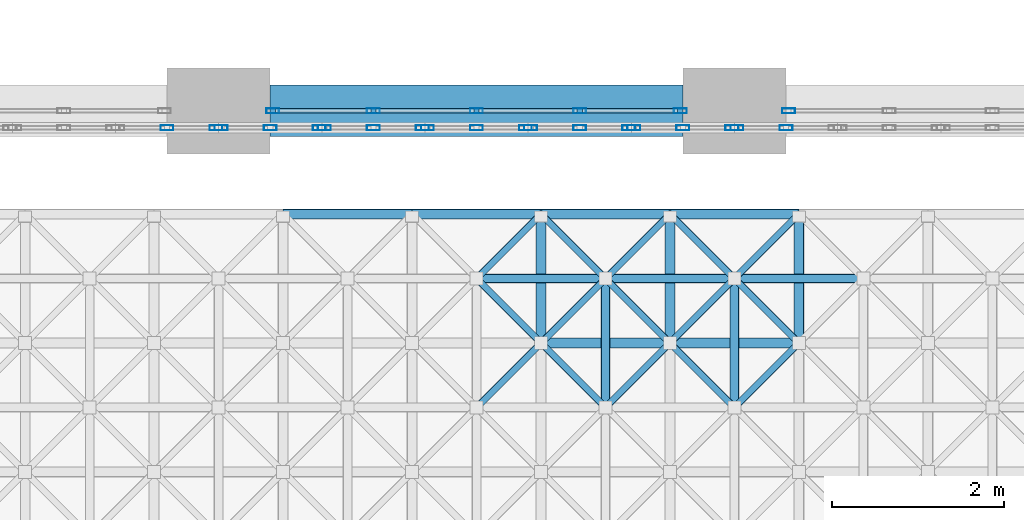
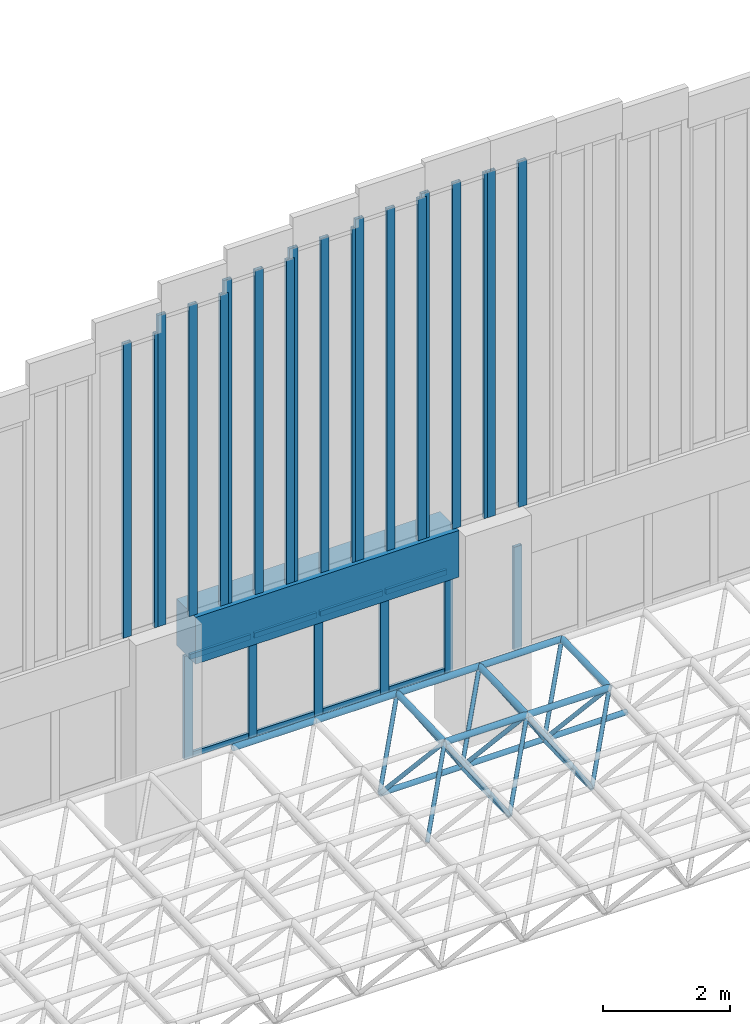
# One storey, part 13 of 103: 62 members, 1 beam, 9 elements without a shape of their own.
"""IFC4 building model written with IfcOpenShell, lengths in metres."""

import ifcopenshell
import ifcopenshell.guid

model = None  # the IFC model being written
_history = None  # IfcOwnerHistory: only IFC2X3 demands one
_inside = {}  # id of a spatial element -> (the spatial element, [elements in it])
_under = {}  # id of a project, library or spatial element -> (it, [spatial elements below it])
_declared = {}  # id of a project -> (the project, [libraries it declares])
_typed = {}  # id of a type object -> (the type object, [elements of that type])
_made_of = {}  # id of a material, layer set ... -> (it, [elements and type objects made of it])


def new_model(schema):
    """Start an empty IFC model of exactly this schema.

    Asked for "IFC4X3", IfcOpenShell would pick the latest addendum, in which some entities
    have other attributes; the version numbers below select the first issue.
    IFC2X3 requires an IfcOwnerHistory on every rooted entity: one is made here for all.
    """
    global model, _history
    if schema == "IFC4X3":
        model = ifcopenshell.file(schema_version=(4, 3, 0, 0))
    else:
        model = ifcopenshell.file(schema=schema)
    _inside.clear()
    _under.clear()
    _declared.clear()
    _typed.clear()
    _made_of.clear()
    _history = None
    if model.schema == "IFC2X3":
        org = make("IfcOrganization", Name="unknown")
        user = make(
            "IfcPersonAndOrganization",
            ThePerson=make("IfcPerson", FamilyName="unknown"),
            TheOrganization=org,
        )
        app = make(
            "IfcApplication",
            ApplicationDeveloper=org,
            Version="unknown",
            ApplicationFullName="unknown",
            ApplicationIdentifier="unknown",
        )
        _history = make(
            "IfcOwnerHistory",
            OwningUser=user,
            OwningApplication=app,
            ChangeAction="ADDED",
            CreationDate=0,
        )
    return model


def make(cls, **values):
    """One entity of the class cls with the attributes given. An attribute that is None is left unset."""
    return model.create_entity(
        cls, **{name: value for name, value in values.items() if value is not None}
    )


def rooted(cls, **values):
    """An entity with a GlobalId (a new one), such as an element, a storey or a relation."""
    return make(cls, GlobalId=ifcopenshell.guid.new(), OwnerHistory=_history, **values)


def si_unit(unit_type, name, prefix=None):
    """IfcSIUnit, for example si_unit("LENGTHUNIT", "METRE", prefix="MILLI")."""
    return make("IfcSIUnit", UnitType=unit_type, Prefix=prefix, Name=name)


def assignment(units):
    """IfcUnitAssignment: the units of a project."""
    return None if units is None else make("IfcUnitAssignment", Units=units)


def point(xyz):
    """IfcCartesianPoint."""
    return None if xyz is None else make("IfcCartesianPoint", Coordinates=xyz)


def direction(xyz):
    """IfcDirection."""
    return None if xyz is None else make("IfcDirection", DirectionRatios=xyz)


def frame(location, z_axis=None, x_axis=None):
    """IfcAxis2Placement3D, a coordinate frame: its origin and axes. An axis left out is left unset."""
    return make(
        "IfcAxis2Placement3D",
        Location=point(location),
        Axis=direction(z_axis),
        RefDirection=direction(x_axis),
    )


def frame_2d(location, x_axis=None):
    """IfcAxis2Placement2D, a coordinate frame in the plane: its origin and x axis."""
    return make(
        "IfcAxis2Placement2D", Location=point(location), RefDirection=direction(x_axis)
    )


def origin():
    """The frame at (0, 0, 0) with its axes left unset."""
    return frame((0.0, 0.0, 0.0))


def origin_2d():
    """The frame at (0, 0) in the plane with its x axis left unset."""
    return frame_2d((0.0, 0.0))


def place(relative_to, where):
    """IfcLocalPlacement: puts the frame where relative to a parent placement (None: the world)."""
    return make(
        "IfcLocalPlacement", PlacementRelTo=relative_to, RelativePlacement=where
    )


def context(
    kind, dimensions, precision=None, world=None, true_north=None, identifier=None
):
    """IfcGeometricRepresentationContext, for example the 3D "Model" context."""
    return make(
        "IfcGeometricRepresentationContext",
        ContextIdentifier=identifier,
        ContextType=kind,
        CoordinateSpaceDimension=dimensions,
        Precision=precision,
        WorldCoordinateSystem=world,
        TrueNorth=true_north,
    )


def subcontext(parent, identifier, kind, view, scale=None):
    """IfcGeometricRepresentationSubContext, for example "Body" below "Model"."""
    return make(
        "IfcGeometricRepresentationSubContext",
        ContextIdentifier=identifier,
        ContextType=kind,
        ParentContext=parent,
        TargetScale=scale,
        TargetView=view,
    )


def project(units=None, contexts=None):
    """IfcProject with its units and contexts."""
    return rooted(
        "IfcProject",
        Name="project",
        RepresentationContexts=contexts,
        UnitsInContext=assignment(units),
    )


def spatial(cls, under=None, at=None, **own):
    """A site, building, storey or space (cls), placed at a placement, below another one or the project."""
    s = rooted(cls, ObjectPlacement=at, **own)
    if under is not None:
        _under.setdefault(under.id(), (under, []))[1].append(s)
    return s


def profile(cls, at=None, kind="AREA", **sizes):
    """A parametric profile (cls). Its sizes go by their IFC names, for example OverallWidth=200.0."""
    return make(cls, ProfileType=kind, Position=at, **sizes)


def rectangle(**sizes):
    """IfcRectangleProfileDef."""
    return profile("IfcRectangleProfileDef", **sizes)


def hollow_rectangle(**sizes):
    """IfcRectangleHollowProfileDef."""
    return profile("IfcRectangleHollowProfileDef", **sizes)


def hollow_circle(**sizes):
    """IfcCircleHollowProfileDef."""
    return profile("IfcCircleHollowProfileDef", **sizes)


def extrude(swept, where, along, depth):
    """IfcExtrudedAreaSolid: the profile swept, set in the frame where, extruded along a direction by depth."""
    return make(
        "IfcExtrudedAreaSolid",
        SweptArea=swept,
        Position=where,
        ExtrudedDirection=direction(along),
        Depth=depth,
    )


def shape(context_of_items, identifier, shape_type, items):
    """IfcShapeRepresentation: the items that make up one representation, for example the "Body"."""
    return make(
        "IfcShapeRepresentation",
        ContextOfItems=context_of_items,
        RepresentationIdentifier=identifier,
        RepresentationType=shape_type,
        Items=items,
    )


def material(Name=None, Category=None):
    """IfcMaterial."""
    return make("IfcMaterial", Name=Name, Category=Category)


def material_profile(
    of_material, cross_section, Name=None, Category=None, Priority=None
):
    """IfcMaterialProfile: a cross section and its material."""
    return make(
        "IfcMaterialProfile",
        Name=Name,
        Material=of_material,
        Profile=cross_section,
        Priority=Priority,
        Category=Category,
    )


def profile_set(profiles, Name=None, composite=None):
    """IfcMaterialProfileSet."""
    return make(
        "IfcMaterialProfileSet",
        Name=Name,
        MaterialProfiles=profiles,
        CompositeProfile=composite,
    )


def made_of(thing, what):
    """Note that an element or type object is made of a material, layer set ...; save() writes the relation."""
    if what is not None:
        _made_of.setdefault(what.id(), (what, []))[1].append(thing)
    return thing


def type_object(cls, material=None, **own):
    """A type object (cls), such as IfcWallType, which elements share."""
    return made_of(rooted(cls, **own), material)


def element(
    cls,
    number,
    at=None,
    inside=None,
    cuts=None,
    type_object=None,
    material=None,
    context=None,
    identifier="Body",
    shape_type=None,
    held_by="IfcProductDefinitionShape",
    body=None,
    shapes=None,
    **own,
):
    """One element of the class cls, such as IfcWall. Its Tag is "e" and its number.

    at: its placement. inside: the storey or other place that contains it. cuts: it is an
    opening in that element (IfcRelVoidsElement). A single representation is given by context,
    identifier, shape_type and body (its items); several are given by shapes. held_by: the class
    of the entity that holds the representations. save() writes the other relations.
    """
    e = rooted(cls, Tag="e%d" % number, ObjectPlacement=at, **own)
    if body is not None:
        shapes = [shape(context, identifier, shape_type, body)]
    if shapes is not None:
        e.Representation = make(held_by, Representations=shapes)
    if inside is not None:
        _inside.setdefault(inside.id(), (inside, []))[1].append(e)
    if cuts is not None:
        rooted(
            "IfcRelVoidsElement", RelatingBuildingElement=cuts, RelatedOpeningElement=e
        )
    if type_object is not None:
        _typed.setdefault(type_object.id(), (type_object, []))[1].append(e)
    return made_of(e, material)


def aggregate(whole, parts):
    """IfcRelAggregates: a whole, such as a stair, and the parts it consists of."""
    return rooted("IfcRelAggregates", RelatingObject=whole, RelatedObjects=parts)


def save(model, path):
    """Write the relations noted so far, then the file.

    IfcRelAggregates (storeys below a building ...), IfcRelContainedInSpatialStructure (elements
    in a storey), IfcRelDefinesByType, IfcRelAssociatesMaterial and IfcRelDeclares: one each for
    every whole, place, type object, material and project.
    """
    for whole, parts in _under.values():
        aggregate(whole, parts)
    for where, things in _inside.values():
        rooted(
            "IfcRelContainedInSpatialStructure",
            RelatedElements=things,
            RelatingStructure=where,
        )
    for kind, things in _typed.values():
        rooted("IfcRelDefinesByType", RelatedObjects=things, RelatingType=kind)
    for what, things in _made_of.values():
        rooted("IfcRelAssociatesMaterial", RelatedObjects=things, RelatingMaterial=what)
    for by, libraries in _declared.values():
        rooted("IfcRelDeclares", RelatingContext=by, RelatedDefinitions=libraries)
    model.write(path)


model = new_model("IFC4")

# Units and contexts
model_context = context("Model", 3, precision=1e-05, world=origin(), true_north=direction((0.0, 1.0)))
body_context = subcontext(model_context, "Body", "Model", "MODEL_VIEW")
ifc_project = project(units=[si_unit("LENGTHUNIT", "METRE"), si_unit("AREAUNIT", "SQUARE_METRE"), si_unit("VOLUMEUNIT", "CUBIC_METRE"), si_unit("PLANEANGLEUNIT", "RADIAN"), si_unit("MASSUNIT", "GRAM", prefix="KILO")], contexts=[model_context])

# Site, building, storey
site_placement = place(None, origin())
site = spatial("IfcSite", under=ifc_project, at=site_placement, CompositionType="ELEMENT")
building_placement = place(site_placement, origin())
building = spatial("IfcBuilding", under=site, at=building_placement, Name="Laocheng Heights Fire and Rescue Headquarters", CompositionType="ELEMENT")
storey_placement = place(building_placement, frame((0.0, 0.0, 4.199951171875)))
storey = spatial("IfcBuildingStorey", under=building, at=storey_placement, Name="L01", CompositionType="ELEMENT", Elevation=4.199951171875)

# Curtain wall, members
ifc_material_1 = material(Name="Aluminium gable glazing, low-e double glazing", Category="aluminium")
curtain_wall_type_1 = type_object("IfcCurtainWallType", Name="GABLE SPANDREL GLAZED UNIT 4800 x 1990", PredefinedType="NOTDEFINED", material=ifc_material_1)
curtain_wall_1_placement = place(storey_placement, origin())
curtain_wall_1 = element("IfcCurtainWall", 1, at=curtain_wall_1_placement, inside=storey, type_object=curtain_wall_type_1, Name="Gable spandrel glazing S3", PredefinedType="NOTDEFINED")
ifc_material_2 = material(Name="Aluminium 6063-T5 extrusion", Category="aluminium")
ifc_material_profile_1 = material_profile(ifc_material_2, hollow_rectangle(XDim=0.06005859375, YDim=0.14990234375, WallThickness=0.0029296875, at=origin_2d()), Name="AL MULLION 150x60x3")
ifc_profile_set_1 = profile_set([ifc_material_profile_1], Name="Aluminium 6063-T5 extrusion")
member_type_1 = type_object("IfcMemberType", Name="AL GABLE MULLION 150x60x3", PredefinedType="MULLION", material=ifc_profile_set_1)
member_1_placement = place(storey_placement, frame((30.6298828125, 0.0, 1.199951171875), z_axis=(0.0, 0.0, 1.0), x_axis=(0.0, 1.0, 0.0)))
member_1 = element("IfcMember", 2, at=member_1_placement, type_object=member_type_1, Name="X1-D mullion 1", PredefinedType="MULLION", context=body_context, shape_type="SweptSolid", body=[
    extrude(hollow_rectangle(XDim=0.06005859375, YDim=0.14990234375, WallThickness=0.0029296875, at=origin_2d()), origin(), (0.0, 0.0, 1.0), 1.990478515625),
])
member_2_placement = place(storey_placement, frame((31.800048828125, 0.0, 1.199951171875), z_axis=(0.0, 0.0, 1.0), x_axis=(0.0, 1.0, 0.0)))
member_2 = element("IfcMember", 3, at=member_2_placement, type_object=member_type_1, Name="X1-D mullion 2", PredefinedType="MULLION", context=body_context, shape_type="SweptSolid", body=[
    extrude(hollow_rectangle(XDim=0.06005859375, YDim=0.14990234375, WallThickness=0.0029296875, at=origin_2d()), origin(), (0.0, 0.0, 1.0), 1.990478515625),
])
member_3_placement = place(storey_placement, frame((33.0, 0.0, 1.199951171875), z_axis=(0.0, 0.0, 1.0), x_axis=(0.0, 1.0, 0.0)))
member_3 = element("IfcMember", 4, at=member_3_placement, type_object=member_type_1, Name="X1-D mullion 3", PredefinedType="MULLION", context=body_context, shape_type="SweptSolid", body=[
    extrude(hollow_rectangle(XDim=0.06005859375, YDim=0.14990234375, WallThickness=0.0029296875, at=origin_2d()), origin(), (0.0, 0.0, 1.0), 1.990478515625),
])
member_4_placement = place(storey_placement, frame((34.199951171875, 0.0, 1.199951171875), z_axis=(0.0, 0.0, 1.0), x_axis=(0.0, 1.0, 0.0)))
member_4 = element("IfcMember", 5, at=member_4_placement, type_object=member_type_1, Name="X1-D mullion 4", PredefinedType="MULLION", context=body_context, shape_type="SweptSolid", body=[
    extrude(hollow_rectangle(XDim=0.06005859375, YDim=0.14990234375, WallThickness=0.0029296875, at=origin_2d()), origin(), (0.0, 0.0, 1.0), 1.990478515625),
])
member_5_placement = place(storey_placement, frame((35.3701171875, 0.0, 1.199951171875), z_axis=(0.0, 0.0, 1.0), x_axis=(0.0, 1.0, 0.0)))
member_5 = element("IfcMember", 6, at=member_5_placement, type_object=member_type_1, Name="X1-D mullion 5", PredefinedType="MULLION", context=body_context, shape_type="SweptSolid", body=[
    extrude(hollow_rectangle(XDim=0.06005859375, YDim=0.14990234375, WallThickness=0.0029296875, at=origin_2d()), origin(), (0.0, 0.0, 1.0), 1.990478515625),
])

# Curtain wall, member
curtain_wall_2_placement = place(storey_placement, origin())
curtain_wall_2 = element("IfcCurtainWall", 7, at=curtain_wall_2_placement, inside=storey, type_object=curtain_wall_type_1, Name="Gable spandrel glazing S4", PredefinedType="NOTDEFINED")
member_6_placement = place(storey_placement, frame((36.6298828125, 0.0, 1.199951171875), z_axis=(0.0, 0.0, 1.0), x_axis=(0.0, 1.0, 0.0)))
member_6 = element("IfcMember", 8, at=member_6_placement, type_object=member_type_1, Name="X1-D mullion 1", PredefinedType="MULLION", context=body_context, shape_type="SweptSolid", body=[
    extrude(hollow_rectangle(XDim=0.06005859375, YDim=0.14990234375, WallThickness=0.0029296875, at=origin_2d()), origin(), (0.0, 0.0, 1.0), 1.990478515625),
])
aggregate(curtain_wall_2, [member_6])

# Curtain wall, members
ifc_material_3 = material(Name="Aluminium gable glazing, low-e double glazing", Category="aluminium")
curtain_wall_type_2 = type_object("IfcCurtainWallType", Name="GABLE GLAZED UNIT 1200 x 5668", PredefinedType="NOTDEFINED", material=ifc_material_3)
curtain_wall_3_placement = place(storey_placement, origin())
curtain_wall_3 = element("IfcCurtainWall", 9, at=curtain_wall_3_placement, inside=storey, type_object=curtain_wall_type_2, Name="Gable glazing S11", PredefinedType="NOTDEFINED")
member_7_placement = place(storey_placement, frame((29.39990234375, -0.196533203125, 4.090576171875), z_axis=(0.0, 0.0, 1.0), x_axis=(0.0, 1.0, 0.0)))
member_7 = element("IfcMember", 10, at=member_7_placement, type_object=member_type_1, Name="X10-D mullion 2", PredefinedType="MULLION", context=body_context, shape_type="SweptSolid", body=[
    extrude(hollow_rectangle(XDim=0.06005859375, YDim=0.14990234375, WallThickness=0.0029296875, at=origin_2d()), origin(), (0.0, 0.0, 1.0), 5.66845703125),
])
member_8_placement = place(storey_placement, frame((29.969970703125, -0.196533203125, 4.090576171875), z_axis=(0.0, 0.0, 1.0), x_axis=(0.0, 1.0, 0.0)))
member_8 = element("IfcMember", 11, at=member_8_placement, type_object=member_type_1, Name="X10-D mullion 3", PredefinedType="MULLION", context=body_context, shape_type="SweptSolid", body=[
    extrude(hollow_rectangle(XDim=0.06005859375, YDim=0.14990234375, WallThickness=0.0029296875, at=origin_2d()), origin(), (0.0, 0.0, 1.0), 5.66845703125),
])
aggregate(curtain_wall_3, [member_7, member_8])

ifc_material_4 = material(Name="Aluminium gable glazing, low-e double glazing", Category="aluminium")
curtain_wall_type_3 = type_object("IfcCurtainWallType", Name="GABLE GLAZED UNIT 1200 x 5994", PredefinedType="NOTDEFINED", material=ifc_material_4)
curtain_wall_4_placement = place(storey_placement, origin())
curtain_wall_4 = element("IfcCurtainWall", 12, at=curtain_wall_4_placement, inside=storey, type_object=curtain_wall_type_3, Name="Gable glazing S12", PredefinedType="NOTDEFINED")
member_9_placement = place(storey_placement, frame((30.030029296875, -0.196533203125, 4.090576171875), z_axis=(0.0, 0.0, 1.0), x_axis=(0.0, 1.0, 0.0)))
member_9 = element("IfcMember", 13, at=member_9_placement, type_object=member_type_1, Name="X11-D mullion 1", PredefinedType="MULLION", context=body_context, shape_type="SweptSolid", body=[
    extrude(hollow_rectangle(XDim=0.06005859375, YDim=0.14990234375, WallThickness=0.0029296875, at=origin_2d()), origin(), (0.0, 0.0, 1.0), 5.994384765625),
])
member_10_placement = place(storey_placement, frame((30.60009765625, -0.196533203125, 4.090576171875), z_axis=(0.0, 0.0, 1.0), x_axis=(0.0, 1.0, 0.0)))
member_10 = element("IfcMember", 14, at=member_10_placement, type_object=member_type_1, Name="X11-D mullion 2", PredefinedType="MULLION", context=body_context, shape_type="SweptSolid", body=[
    extrude(hollow_rectangle(XDim=0.06005859375, YDim=0.14990234375, WallThickness=0.0029296875, at=origin_2d()), origin(), (0.0, 0.0, 1.0), 5.994384765625),
])
member_11_placement = place(storey_placement, frame((31.169921875, -0.196533203125, 4.090576171875), z_axis=(0.0, 0.0, 1.0), x_axis=(0.0, 1.0, 0.0)))
member_11 = element("IfcMember", 15, at=member_11_placement, type_object=member_type_1, Name="X11-D mullion 3", PredefinedType="MULLION", context=body_context, shape_type="SweptSolid", body=[
    extrude(hollow_rectangle(XDim=0.06005859375, YDim=0.14990234375, WallThickness=0.0029296875, at=origin_2d()), origin(), (0.0, 0.0, 1.0), 5.994384765625),
])
aggregate(curtain_wall_4, [member_9, member_10, member_11])

ifc_material_5 = material(Name="Aluminium gable glazing, low-e double glazing", Category="aluminium")
curtain_wall_type_4 = type_object("IfcCurtainWallType", Name="GABLE GLAZED UNIT 1200 x 6246", PredefinedType="NOTDEFINED", material=ifc_material_5)
curtain_wall_5_placement = place(storey_placement, origin())
curtain_wall_5 = element("IfcCurtainWall", 16, at=curtain_wall_5_placement, inside=storey, type_object=curtain_wall_type_4, Name="Gable glazing S13", PredefinedType="NOTDEFINED")
member_12_placement = place(storey_placement, frame((31.22998046875, -0.196533203125, 4.090576171875), z_axis=(0.0, 0.0, 1.0), x_axis=(0.0, 1.0, 0.0)))
member_12 = element("IfcMember", 17, at=member_12_placement, type_object=member_type_1, Name="X12-D mullion 1", PredefinedType="MULLION", context=body_context, shape_type="SweptSolid", body=[
    extrude(hollow_rectangle(XDim=0.06005859375, YDim=0.14990234375, WallThickness=0.0029296875, at=origin_2d()), origin(), (0.0, 0.0, 1.0), 6.245361328125),
])
member_13_placement = place(storey_placement, frame((31.800048828125, -0.196533203125, 4.090576171875), z_axis=(0.0, 0.0, 1.0), x_axis=(0.0, 1.0, 0.0)))
member_13 = element("IfcMember", 18, at=member_13_placement, type_object=member_type_1, Name="X12-D mullion 2", PredefinedType="MULLION", context=body_context, shape_type="SweptSolid", body=[
    extrude(hollow_rectangle(XDim=0.06005859375, YDim=0.14990234375, WallThickness=0.0029296875, at=origin_2d()), origin(), (0.0, 0.0, 1.0), 6.245361328125),
])
member_14_placement = place(storey_placement, frame((32.3701171875, -0.196533203125, 4.090576171875), z_axis=(0.0, 0.0, 1.0), x_axis=(0.0, 1.0, 0.0)))
member_14 = element("IfcMember", 19, at=member_14_placement, type_object=member_type_1, Name="X12-D mullion 3", PredefinedType="MULLION", context=body_context, shape_type="SweptSolid", body=[
    extrude(hollow_rectangle(XDim=0.06005859375, YDim=0.14990234375, WallThickness=0.0029296875, at=origin_2d()), origin(), (0.0, 0.0, 1.0), 6.245361328125),
])
aggregate(curtain_wall_5, [member_12, member_13, member_14])

ifc_material_6 = material(Name="Aluminium gable glazing, low-e double glazing", Category="aluminium")
curtain_wall_type_5 = type_object("IfcCurtainWallType", Name="GABLE GLAZED UNIT 1200 x 6438", PredefinedType="NOTDEFINED", material=ifc_material_6)
curtain_wall_6_placement = place(storey_placement, origin())
curtain_wall_6 = element("IfcCurtainWall", 20, at=curtain_wall_6_placement, inside=storey, type_object=curtain_wall_type_5, Name="Gable glazing S14", PredefinedType="NOTDEFINED")
member_15_placement = place(storey_placement, frame((32.429931640625, -0.196533203125, 4.090576171875), z_axis=(0.0, 0.0, 1.0), x_axis=(0.0, 1.0, 0.0)))
member_15 = element("IfcMember", 21, at=member_15_placement, type_object=member_type_1, Name="X13-D mullion 1", PredefinedType="MULLION", context=body_context, shape_type="SweptSolid", body=[
    extrude(hollow_rectangle(XDim=0.06005859375, YDim=0.14990234375, WallThickness=0.0029296875, at=origin_2d()), origin(), (0.0, 0.0, 1.0), 6.4375),
])
member_16_placement = place(storey_placement, frame((33.0, -0.196533203125, 4.090576171875), z_axis=(0.0, 0.0, 1.0), x_axis=(0.0, 1.0, 0.0)))
member_16 = element("IfcMember", 22, at=member_16_placement, type_object=member_type_1, Name="X13-D mullion 2", PredefinedType="MULLION", context=body_context, shape_type="SweptSolid", body=[
    extrude(hollow_rectangle(XDim=0.06005859375, YDim=0.14990234375, WallThickness=0.0029296875, at=origin_2d()), origin(), (0.0, 0.0, 1.0), 6.4375),
])
member_17_placement = place(storey_placement, frame((33.570068359375, -0.196533203125, 4.090576171875), z_axis=(0.0, 0.0, 1.0), x_axis=(0.0, 1.0, 0.0)))
member_17 = element("IfcMember", 23, at=member_17_placement, type_object=member_type_1, Name="X13-D mullion 3", PredefinedType="MULLION", context=body_context, shape_type="SweptSolid", body=[
    extrude(hollow_rectangle(XDim=0.06005859375, YDim=0.14990234375, WallThickness=0.0029296875, at=origin_2d()), origin(), (0.0, 0.0, 1.0), 6.4375),
])
aggregate(curtain_wall_6, [member_15, member_16, member_17])

ifc_material_7 = material(Name="Aluminium gable glazing, low-e double glazing", Category="aluminium")
curtain_wall_type_6 = type_object("IfcCurtainWallType", Name="GABLE GLAZED UNIT 1200 x 6586", PredefinedType="NOTDEFINED", material=ifc_material_7)
curtain_wall_7_placement = place(storey_placement, origin())
curtain_wall_7 = element("IfcCurtainWall", 24, at=curtain_wall_7_placement, inside=storey, type_object=curtain_wall_type_6, Name="Gable glazing S15", PredefinedType="NOTDEFINED")
member_18_placement = place(storey_placement, frame((33.6298828125, -0.196533203125, 4.090576171875), z_axis=(0.0, 0.0, 1.0), x_axis=(0.0, 1.0, 0.0)))
member_18 = element("IfcMember", 25, at=member_18_placement, type_object=member_type_1, Name="X14-D mullion 1", PredefinedType="MULLION", context=body_context, shape_type="SweptSolid", body=[
    extrude(hollow_rectangle(XDim=0.06005859375, YDim=0.14990234375, WallThickness=0.0029296875, at=origin_2d()), origin(), (0.0, 0.0, 1.0), 6.58544921875),
])
member_19_placement = place(storey_placement, frame((34.199951171875, -0.196533203125, 4.090576171875), z_axis=(0.0, 0.0, 1.0), x_axis=(0.0, 1.0, 0.0)))
member_19 = element("IfcMember", 26, at=member_19_placement, type_object=member_type_1, Name="X14-D mullion 2", PredefinedType="MULLION", context=body_context, shape_type="SweptSolid", body=[
    extrude(hollow_rectangle(XDim=0.06005859375, YDim=0.14990234375, WallThickness=0.0029296875, at=origin_2d()), origin(), (0.0, 0.0, 1.0), 6.58544921875),
])
member_20_placement = place(storey_placement, frame((34.77001953125, -0.196533203125, 4.090576171875), z_axis=(0.0, 0.0, 1.0), x_axis=(0.0, 1.0, 0.0)))
member_20 = element("IfcMember", 27, at=member_20_placement, type_object=member_type_1, Name="X14-D mullion 3", PredefinedType="MULLION", context=body_context, shape_type="SweptSolid", body=[
    extrude(hollow_rectangle(XDim=0.06005859375, YDim=0.14990234375, WallThickness=0.0029296875, at=origin_2d()), origin(), (0.0, 0.0, 1.0), 6.58544921875),
])
aggregate(curtain_wall_7, [member_18, member_19, member_20])

ifc_material_8 = material(Name="Aluminium gable glazing, low-e double glazing", Category="aluminium")
curtain_wall_type_7 = type_object("IfcCurtainWallType", Name="GABLE GLAZED UNIT 1200 x 6658", PredefinedType="NOTDEFINED", material=ifc_material_8)
curtain_wall_8_placement = place(storey_placement, origin())
curtain_wall_8 = element("IfcCurtainWall", 28, at=curtain_wall_8_placement, inside=storey, type_object=curtain_wall_type_7, Name="Gable glazing S16", PredefinedType="NOTDEFINED")
member_21_placement = place(storey_placement, frame((34.830078125, -0.196533203125, 4.090576171875), z_axis=(0.0, 0.0, 1.0), x_axis=(0.0, 1.0, 0.0)))
member_21 = element("IfcMember", 29, at=member_21_placement, type_object=member_type_1, Name="X15-D mullion 1", PredefinedType="MULLION", context=body_context, shape_type="SweptSolid", body=[
    extrude(hollow_rectangle(XDim=0.06005859375, YDim=0.14990234375, WallThickness=0.0029296875, at=origin_2d()), origin(), (0.0, 0.0, 1.0), 6.658447265625),
])
member_22_placement = place(storey_placement, frame((35.39990234375, -0.196533203125, 4.090576171875), z_axis=(0.0, 0.0, 1.0), x_axis=(0.0, 1.0, 0.0)))
member_22 = element("IfcMember", 30, at=member_22_placement, type_object=member_type_1, Name="X15-D mullion 2", PredefinedType="MULLION", context=body_context, shape_type="SweptSolid", body=[
    extrude(hollow_rectangle(XDim=0.06005859375, YDim=0.14990234375, WallThickness=0.0029296875, at=origin_2d()), origin(), (0.0, 0.0, 1.0), 6.658447265625),
])
member_23_placement = place(storey_placement, frame((35.969970703125, -0.196533203125, 4.090576171875), z_axis=(0.0, 0.0, 1.0), x_axis=(0.0, 1.0, 0.0)))
member_23 = element("IfcMember", 31, at=member_23_placement, type_object=member_type_1, Name="X15-D mullion 3", PredefinedType="MULLION", context=body_context, shape_type="SweptSolid", body=[
    extrude(hollow_rectangle(XDim=0.06005859375, YDim=0.14990234375, WallThickness=0.0029296875, at=origin_2d()), origin(), (0.0, 0.0, 1.0), 6.658447265625),
])
aggregate(curtain_wall_8, [member_21, member_22, member_23])

curtain_wall_9_placement = place(storey_placement, origin())
curtain_wall_9 = element("IfcCurtainWall", 32, at=curtain_wall_9_placement, inside=storey, type_object=curtain_wall_type_7, Name="Gable glazing S17", PredefinedType="NOTDEFINED")
member_24_placement = place(storey_placement, frame((36.030029296875, -0.196533203125, 4.090576171875), z_axis=(0.0, 0.0, 1.0), x_axis=(0.0, 1.0, 0.0)))
member_24 = element("IfcMember", 33, at=member_24_placement, type_object=member_type_1, Name="X15-D mullion 1", PredefinedType="MULLION", context=body_context, shape_type="SweptSolid", body=[
    extrude(hollow_rectangle(XDim=0.06005859375, YDim=0.14990234375, WallThickness=0.0029296875, at=origin_2d()), origin(), (0.0, 0.0, 1.0), 6.658447265625),
])
member_25_placement = place(storey_placement, frame((36.60009765625, -0.196533203125, 4.090576171875), z_axis=(0.0, 0.0, 1.0), x_axis=(0.0, 1.0, 0.0)))
member_25 = element("IfcMember", 34, at=member_25_placement, type_object=member_type_1, Name="X15-D mullion 2", PredefinedType="MULLION", context=body_context, shape_type="SweptSolid", body=[
    extrude(hollow_rectangle(XDim=0.06005859375, YDim=0.14990234375, WallThickness=0.0029296875, at=origin_2d()), origin(), (0.0, 0.0, 1.0), 6.658447265625),
])
aggregate(curtain_wall_9, [member_24, member_25])

# Member
ifc_material_9 = material(Name="Aluminium 6063-T5 extrusion", Category="aluminium")
ifc_material_profile_2 = material_profile(ifc_material_9, hollow_rectangle(XDim=0.050048828125, YDim=0.10009765625, WallThickness=0.0029296875, at=origin_2d()), Name="AL TRANSOM 100x50x3")
ifc_profile_set_2 = profile_set([ifc_material_profile_2], Name="Aluminium 6063-T5 extrusion")
member_type_2 = type_object("IfcMemberType", Name="AL GABLE TRANSOM 100x50x3", PredefinedType="USERDEFINED", material=ifc_profile_set_2)
member_26_placement = place(storey_placement, frame((30.659912109375, 0.0, 1.25), z_axis=(1.0, 0.0, 0.0), x_axis=(0.0, 1.0, 0.0)))
member_26 = element("IfcMember", 35, at=member_26_placement, type_object=member_type_2, Name="X1-D transom 1.1", ObjectType="TRANSOM", PredefinedType="USERDEFINED", context=body_context, shape_type="SweptSolid", body=[
    extrude(hollow_rectangle(XDim=0.050048828125, YDim=0.10009765625, WallThickness=0.0029296875, at=origin_2d()), origin(), (0.0, 0.0, 1.0), 1.110107421875),
])

member_27_placement = place(storey_placement, frame((30.659912109375, 0.0, 3.140625), z_axis=(1.0, 0.0, 0.0), x_axis=(0.0, 1.0, 0.0)))
member_27 = element("IfcMember", 36, at=member_27_placement, type_object=member_type_2, Name="X1-D transom 1.2", ObjectType="TRANSOM", PredefinedType="USERDEFINED", context=body_context, shape_type="SweptSolid", body=[
    extrude(hollow_rectangle(XDim=0.050048828125, YDim=0.10009765625, WallThickness=0.0029296875, at=origin_2d()), origin(), (0.0, 0.0, 1.0), 1.110107421875),
])

member_28_placement = place(storey_placement, frame((31.830078125, 0.0, 1.25), z_axis=(1.0, 0.0, 0.0), x_axis=(0.0, 1.0, 0.0)))
member_28 = element("IfcMember", 37, at=member_28_placement, type_object=member_type_2, Name="X1-D transom 2.1", ObjectType="TRANSOM", PredefinedType="USERDEFINED", context=body_context, shape_type="SweptSolid", body=[
    extrude(hollow_rectangle(XDim=0.050048828125, YDim=0.10009765625, WallThickness=0.0029296875, at=origin_2d()), origin(), (0.0, 0.0, 1.0), 1.139892578125),
])

member_29_placement = place(storey_placement, frame((31.830078125, 0.0, 3.140625), z_axis=(1.0, 0.0, 0.0), x_axis=(0.0, 1.0, 0.0)))
member_29 = element("IfcMember", 38, at=member_29_placement, type_object=member_type_2, Name="X1-D transom 2.2", ObjectType="TRANSOM", PredefinedType="USERDEFINED", context=body_context, shape_type="SweptSolid", body=[
    extrude(hollow_rectangle(XDim=0.050048828125, YDim=0.10009765625, WallThickness=0.0029296875, at=origin_2d()), origin(), (0.0, 0.0, 1.0), 1.139892578125),
])

member_30_placement = place(storey_placement, frame((33.030029296875, 0.0, 1.25), z_axis=(1.0, 0.0, 0.0), x_axis=(0.0, 1.0, 0.0)))
member_30 = element("IfcMember", 39, at=member_30_placement, type_object=member_type_2, Name="X1-D transom 3.1", ObjectType="TRANSOM", PredefinedType="USERDEFINED", context=body_context, shape_type="SweptSolid", body=[
    extrude(hollow_rectangle(XDim=0.050048828125, YDim=0.10009765625, WallThickness=0.0029296875, at=origin_2d()), origin(), (0.0, 0.0, 1.0), 1.139892578125),
])

member_31_placement = place(storey_placement, frame((33.030029296875, 0.0, 3.140625), z_axis=(1.0, 0.0, 0.0), x_axis=(0.0, 1.0, 0.0)))
member_31 = element("IfcMember", 40, at=member_31_placement, type_object=member_type_2, Name="X1-D transom 3.2", ObjectType="TRANSOM", PredefinedType="USERDEFINED", context=body_context, shape_type="SweptSolid", body=[
    extrude(hollow_rectangle(XDim=0.050048828125, YDim=0.10009765625, WallThickness=0.0029296875, at=origin_2d()), origin(), (0.0, 0.0, 1.0), 1.139892578125),
])

member_32_placement = place(storey_placement, frame((34.22998046875, 0.0, 1.25), z_axis=(1.0, 0.0, 0.0), x_axis=(0.0, 1.0, 0.0)))
member_32 = element("IfcMember", 41, at=member_32_placement, type_object=member_type_2, Name="X1-D transom 4.1", ObjectType="TRANSOM", PredefinedType="USERDEFINED", context=body_context, shape_type="SweptSolid", body=[
    extrude(hollow_rectangle(XDim=0.050048828125, YDim=0.10009765625, WallThickness=0.0029296875, at=origin_2d()), origin(), (0.0, 0.0, 1.0), 1.110107421875),
])

member_33_placement = place(storey_placement, frame((34.22998046875, 0.0, 3.140625), z_axis=(1.0, 0.0, 0.0), x_axis=(0.0, 1.0, 0.0)))
member_33 = element("IfcMember", 42, at=member_33_placement, type_object=member_type_2, Name="X1-D transom 4.2", ObjectType="TRANSOM", PredefinedType="USERDEFINED", context=body_context, shape_type="SweptSolid", body=[
    extrude(hollow_rectangle(XDim=0.050048828125, YDim=0.10009765625, WallThickness=0.0029296875, at=origin_2d()), origin(), (0.0, 0.0, 1.0), 1.110107421875),
])

aggregate(curtain_wall_1, [member_1, member_2, member_3, member_4, member_5, member_26, member_27, member_28, member_29, member_30, member_31, member_32, member_33])

# Members
ifc_material_10 = material(Name="Steel Q355B", Category="steel")
ifc_material_profile_3 = material_profile(ifc_material_10, hollow_circle(Radius=0.05078125, WallThickness=0.00390625, at=origin_2d()), Name="CHS 101.6x4")
ifc_profile_set_3 = profile_set([ifc_material_profile_3], Name="Steel Q355B")
member_type_3 = type_object("IfcMemberType", Name="APRON CANOPY BOTTOM CHORD CHS 101.6x4", PredefinedType="CHORD", material=ifc_profile_set_3)
for number, where, z_axis, x_axis, name in (
    (43, (33.0, -1.949951171875, 0.861083984375), (1.0, 0.0, 0.0), (0.0, 1.0, 0.0), "Apron canopy bottom chord AC-B008"),
    (44, (34.5, -1.949951171875, 0.861083984375), (1.0, 0.0, 0.0), (0.0, 1.0, 0.0), "Apron canopy bottom chord AC-B009"),
    (45, (36.0, -1.949951171875, 0.861083984375), (1.0, 0.0, 0.0), (0.0, 1.0, 0.0), "Apron canopy bottom chord AC-B010"),
):
    element("IfcMember", number, at=place(storey_placement, frame(where, z_axis=z_axis, x_axis=x_axis)), inside=storey, type_object=member_type_3, Name=name, PredefinedType="CHORD", context=body_context, shape_type="SweptSolid", body=[
        extrude(hollow_circle(Radius=0.05078125, WallThickness=0.00390625, at=origin_2d()), origin(), (0.0, 0.0, 1.0), 1.5),
    ])
for number, where, z_axis, x_axis, name in (
    (46, (34.5, -1.949951171875, 0.861083984375), (0.0, -0.999799669399, -0.020015520725), (1.0, 0.0, 0.0), "Apron canopy bottom chord AC-B113"),
    (47, (36.0, -1.949951171875, 0.861083984375), (0.0, -0.999799669399, -0.020015520725), (1.0, 0.0, 0.0), "Apron canopy bottom chord AC-B116"),
):
    element("IfcMember", number, at=place(storey_placement, frame(where, z_axis=z_axis, x_axis=x_axis)), inside=storey, type_object=member_type_3, Name=name, PredefinedType="CHORD", context=body_context, shape_type="SweptSolid", body=[
        extrude(hollow_circle(Radius=0.05078125, WallThickness=0.00390625, at=origin_2d()), origin(), (0.0, 0.0, 1.0), 1.500244140625),
    ])
ifc_material_11 = material(Name="Steel Q355B", Category="steel")
ifc_material_profile_4 = material_profile(ifc_material_11, hollow_circle(Radius=0.05712890625, WallThickness=0.0048828125, at=origin_2d()), Name="CHS 114.3x5")
ifc_profile_set_4 = profile_set([ifc_material_profile_4], Name="Steel Q355B")
member_type_4 = type_object("IfcMemberType", Name="APRON CANOPY TOP CHORD CHS 114.3x5", PredefinedType="CHORD", material=ifc_profile_set_4)
for number, where, z_axis, x_axis, name in (
    (48, (30.75, -1.199951171875, 2.075927734375), (1.0, 0.0, 0.0), (0.0, 1.0, 0.0), "Apron canopy top chord AC-T007"),
    (49, (32.25, -1.199951171875, 2.075927734375), (1.0, 0.0, 0.0), (0.0, 1.0, 0.0), "Apron canopy top chord AC-T008"),
    (50, (33.75, -1.199951171875, 2.075927734375), (1.0, 0.0, 0.0), (0.0, 1.0, 0.0), "Apron canopy top chord AC-T009"),
    (51, (35.25, -1.199951171875, 2.075927734375), (1.0, 0.0, 0.0), (0.0, 1.0, 0.0), "Apron canopy top chord AC-T010"),
    (52, (33.75, -2.699951171875, 2.046142578125), (1.0, 0.0, 0.0), (0.0, 1.0, 0.0), "Apron canopy top chord AC-T032"),
    (53, (35.25, -2.699951171875, 2.046142578125), (1.0, 0.0, 0.0), (0.0, 1.0, 0.0), "Apron canopy top chord AC-T033"),
):
    element("IfcMember", number, at=place(storey_placement, frame(where, z_axis=z_axis, x_axis=x_axis)), inside=storey, type_object=member_type_4, Name=name, PredefinedType="CHORD", context=body_context, shape_type="SweptSolid", body=[
        extrude(hollow_circle(Radius=0.05712890625, WallThickness=0.0048828125, at=origin_2d()), origin(), (0.0, 0.0, 1.0), 1.5),
    ])
for number, where, z_axis, x_axis, name in (
    (54, (33.75, -1.199951171875, 2.075927734375), (0.0, -0.999802912607, -0.019852857314), (1.0, 0.0, 0.0), "Apron canopy top chord AC-T148"),
    (55, (35.25, -1.199951171875, 2.075927734375), (0.0, -0.999802912607, -0.019852857314), (1.0, 0.0, 0.0), "Apron canopy top chord AC-T152"),
    (56, (36.75, -1.199951171875, 2.075927734375), (0.0, -0.999802912607, -0.019852857314), (1.0, 0.0, 0.0), "Apron canopy top chord AC-T156"),
):
    element("IfcMember", number, at=place(storey_placement, frame(where, z_axis=z_axis, x_axis=x_axis)), inside=storey, type_object=member_type_4, Name=name, PredefinedType="CHORD", context=body_context, shape_type="SweptSolid", body=[
        extrude(hollow_circle(Radius=0.05712890625, WallThickness=0.0048828125, at=origin_2d()), origin(), (0.0, 0.0, 1.0), 1.500244140625),
    ])
ifc_material_12 = material(Name="Steel Q355B", Category="steel")
ifc_material_profile_5 = material_profile(ifc_material_12, hollow_circle(Radius=0.0380859375, WallThickness=0.00390625, at=origin_2d()), Name="CHS 76.1x4")
ifc_profile_set_5 = profile_set([ifc_material_profile_5], Name="Steel Q355B")
member_type_5 = type_object("IfcMemberType", Name="APRON CANOPY WEB CHS 76.1x4", PredefinedType="BRACE", material=ifc_profile_set_5)
member_34_placement = place(storey_placement, frame((33.0, -1.949951171875, 0.861083984375), z_axis=(0.46505465934, 0.46505465934, 0.753291661743), x_axis=(-0.707106781187, 0.707106781187, 0.0)))
element("IfcMember", 57, at=member_34_placement, inside=storey, type_object=member_type_5, Name="Apron canopy web AC-W030", PredefinedType="BRACE", context=body_context, shape_type="SweptSolid", body=[
    extrude(hollow_circle(Radius=0.0380859375, WallThickness=0.00390625, at=origin_2d()), origin(), (0.0, 0.0, 1.0), 1.61279296875),
])
member_35_placement = place(storey_placement, frame((33.0, -1.949951171875, 0.861083984375), z_axis=(0.471580249604, -0.471580249604, 0.745133636582), x_axis=(0.707106781187, 0.707106781187, 0.0)))
element("IfcMember", 58, at=member_35_placement, inside=storey, type_object=member_type_5, Name="Apron canopy web AC-W032", PredefinedType="BRACE", context=body_context, shape_type="SweptSolid", body=[
    extrude(hollow_circle(Radius=0.0380859375, WallThickness=0.00390625, at=origin_2d()), origin(), (0.0, 0.0, 1.0), 1.59033203125),
])
for number, where, z_axis, x_axis, name in (
    (59, (34.5, -1.949951171875, 0.861083984375), (-0.46505465934, 0.46505465934, 0.753291661743), (-0.707106781187, -0.707106781187, 0.0), "Apron canopy web AC-W033"),
    (60, (34.5, -1.949951171875, 0.861083984375), (0.46505465934, 0.46505465934, 0.753291661743), (-0.707106781187, 0.707106781187, 0.0), "Apron canopy web AC-W034"),
):
    element("IfcMember", number, at=place(storey_placement, frame(where, z_axis=z_axis, x_axis=x_axis)), inside=storey, type_object=member_type_5, Name=name, PredefinedType="BRACE", context=body_context, shape_type="SweptSolid", body=[
        extrude(hollow_circle(Radius=0.0380859375, WallThickness=0.00390625, at=origin_2d()), origin(), (0.0, 0.0, 1.0), 1.61279296875),
    ])
for number, where, z_axis, x_axis, name in (
    (61, (34.5, -1.949951171875, 0.861083984375), (-0.471580249604, -0.471580249604, 0.745133636582), (0.707106781187, -0.707106781187, 0.0), "Apron canopy web AC-W035"),
    (62, (34.5, -1.949951171875, 0.861083984375), (0.471580249604, -0.471580249604, 0.745133636582), (0.707106781187, 0.707106781187, 0.0), "Apron canopy web AC-W036"),
):
    element("IfcMember", number, at=place(storey_placement, frame(where, z_axis=z_axis, x_axis=x_axis)), inside=storey, type_object=member_type_5, Name=name, PredefinedType="BRACE", context=body_context, shape_type="SweptSolid", body=[
        extrude(hollow_circle(Radius=0.0380859375, WallThickness=0.00390625, at=origin_2d()), origin(), (0.0, 0.0, 1.0), 1.59033203125),
    ])
for number, where, z_axis, x_axis, name in (
    (63, (36.0, -1.949951171875, 0.861083984375), (-0.46505465934, 0.46505465934, 0.753291661743), (-0.707106781187, -0.707106781187, 0.0), "Apron canopy web AC-W037"),
    (64, (36.0, -1.949951171875, 0.861083984375), (0.46505465934, 0.46505465934, 0.753291661743), (-0.707106781187, 0.707106781187, 0.0), "Apron canopy web AC-W038"),
):
    element("IfcMember", number, at=place(storey_placement, frame(where, z_axis=z_axis, x_axis=x_axis)), inside=storey, type_object=member_type_5, Name=name, PredefinedType="BRACE", context=body_context, shape_type="SweptSolid", body=[
        extrude(hollow_circle(Radius=0.0380859375, WallThickness=0.00390625, at=origin_2d()), origin(), (0.0, 0.0, 1.0), 1.61279296875),
    ])
for number, where, z_axis, x_axis, name in (
    (65, (36.0, -1.949951171875, 0.861083984375), (-0.471580249604, -0.471580249604, 0.745133636582), (0.707106781187, -0.707106781187, 0.0), "Apron canopy web AC-W039"),
    (66, (36.0, -1.949951171875, 0.861083984375), (0.471580249604, -0.471580249604, 0.745133636582), (0.707106781187, 0.707106781187, 0.0), "Apron canopy web AC-W040"),
):
    element("IfcMember", number, at=place(storey_placement, frame(where, z_axis=z_axis, x_axis=x_axis)), inside=storey, type_object=member_type_5, Name=name, PredefinedType="BRACE", context=body_context, shape_type="SweptSolid", body=[
        extrude(hollow_circle(Radius=0.0380859375, WallThickness=0.00390625, at=origin_2d()), origin(), (0.0, 0.0, 1.0), 1.59033203125),
    ])
for number, where, z_axis, x_axis, name in (
    (67, (33.0, -3.449951171875, 0.8310546875), (0.465001629625, 0.465001629625, 0.75335713237), (-0.707106781187, 0.707106781187, 0.0), "Apron canopy web AC-W122"),
    (68, (34.5, -3.449951171875, 0.8310546875), (-0.465001629625, 0.465001629625, 0.75335713237), (-0.707106781187, -0.707106781187, 0.0), "Apron canopy web AC-W125"),
    (69, (34.5, -3.449951171875, 0.8310546875), (0.465001629625, 0.465001629625, 0.75335713237), (-0.707106781187, 0.707106781187, 0.0), "Apron canopy web AC-W126"),
    (70, (36.0, -3.449951171875, 0.8310546875), (-0.465001629625, 0.465001629625, 0.75335713237), (-0.707106781187, -0.707106781187, 0.0), "Apron canopy web AC-W129"),
    (71, (36.0, -3.449951171875, 0.8310546875), (0.465001629625, 0.465001629625, 0.75335713237), (-0.707106781187, 0.707106781187, 0.0), "Apron canopy web AC-W130"),
):
    element("IfcMember", number, at=place(storey_placement, frame(where, z_axis=z_axis, x_axis=x_axis)), inside=storey, type_object=member_type_5, Name=name, PredefinedType="BRACE", context=body_context, shape_type="SweptSolid", body=[
        extrude(hollow_circle(Radius=0.0380859375, WallThickness=0.00390625, at=origin_2d()), origin(), (0.0, 0.0, 1.0), 1.61279296875),
    ])

# Beam
ifc_material_13 = material(Name="Concrete C50", Category="concrete")
ifc_material_profile_6 = material_profile(ifc_material_13, rectangle(XDim=0.60009765625, YDim=0.89990234375, at=origin_2d()), Name="RC BEAM 600x900 GABLE SPRING BEAM")
ifc_profile_set_6 = profile_set([ifc_material_profile_6], Name="Concrete C50")
beam_type = type_object("IfcBeamType", Name="RC BEAM 600x900 GABLE SPRING BEAM", PredefinedType="BEAM", material=ifc_profile_set_6)
beam_placement = place(storey_placement, frame((30.60009765625, 0.0, 3.640625), z_axis=(1.0, 0.0, 0.0), x_axis=(0.0, 1.0, 0.0)))
element("IfcBeam", 72, at=beam_placement, inside=storey, type_object=beam_type, Name="Gable spring beam S3", PredefinedType="BEAM", context=body_context, shape_type="SweptSolid", body=[
    extrude(rectangle(XDim=0.60009765625, YDim=0.89990234375, at=origin_2d()), origin(), (0.0, 0.0, 1.0), 4.7998046875),
])

save(model, "model.ifc")
